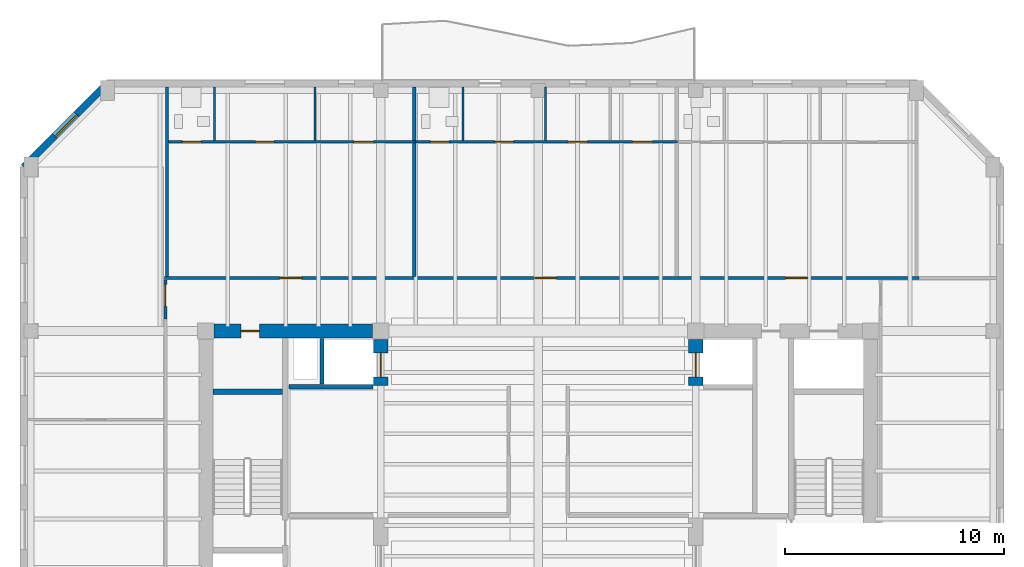
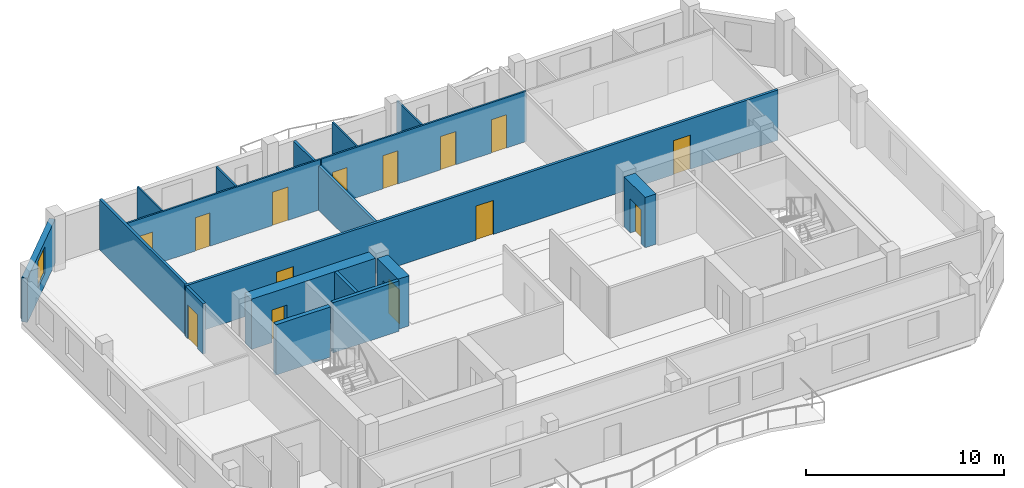
# One storey, part 4 of 10: 17 walls, 14 doors, 1 window, 15 openings.
"""IFC4 building model written with IfcOpenShell, lengths in metres."""

from ifc_helpers import new_model, si_unit, direction, frame, frame_2d, origin, place, context, subcontext, project, spatial, rectangle, extrude, material, layer, layer_set, type_object, element, fill, save


model = new_model("IFC4")

# Units and contexts
model_context = context("Model", 3, precision=1e-05, world=origin(), true_north=direction((0.0, 1.0)))
body_context = subcontext(model_context, "Body", "Model", "MODEL_VIEW")
ifc_project = project(units=[si_unit("LENGTHUNIT", "METRE"), si_unit("AREAUNIT", "SQUARE_METRE"), si_unit("VOLUMEUNIT", "CUBIC_METRE"), si_unit("PLANEANGLEUNIT", "RADIAN"), si_unit("MASSUNIT", "GRAM", prefix="KILO")], contexts=[model_context])

# Site, building, storey
site_placement = place(None, origin())
site = spatial("IfcSite", under=ifc_project, at=site_placement, CompositionType="ELEMENT")
building_placement = place(site_placement, origin())
building = spatial("IfcBuilding", under=site, at=building_placement, Name="Kranthara Brick Stack", CompositionType="ELEMENT")
storey_placement = place(building_placement, frame((0.0, 0.0, 272.10009765625)))
storey = spatial("IfcBuildingStorey", under=building, at=storey_placement, Name="L72", CompositionType="ELEMENT", Elevation=272.10009765625)

# Wall, opening, window
ifc_material_1 = material(Name="Warm buff clay brick masonry M15", Category="masonry")
ifc_layer_1 = layer(ifc_material_1, 0.320068359375)
ifc_layer_set_1 = layer_set([ifc_layer_1], Name="Warm buff clay brick masonry M15")
wall_type_1 = type_object("IfcWallType", Name="WL-BRK-UPPR-320", PredefinedType="STANDARD", material=ifc_layer_set_1)
wall_1_placement = place(storey_placement, frame((4.47998046875, 41.10009765625, 0.0), z_axis=(0.0, 0.0, 1.0), x_axis=(0.70712937715, 0.707084184501, 0.0)))
wall_1 = element("IfcWall", 1, at=wall_1_placement, inside=storey, type_object=wall_type_1, Name="L72 Exterior Brick Facade Wall NW 1", PredefinedType="STANDARD", context=body_context, shape_type="SweptSolid", body=[
    extrude(rectangle(XDim=5.402099609375, YDim=0.320068359375, at=frame_2d((2.701171875, 0.0))), origin(), (0.0, 0.0, 1.0), 2.724853515625),
])
opening_1_placement = place(wall_1_placement, frame((2.0009765625, 0.0, 0.75)))
opening_1 = element("IfcOpeningElement", 2, at=opening_1_placement, cuts=wall_1, Name="Opening WN10", PredefinedType="OPENING", context=body_context, shape_type="SweptSolid", body=[
    extrude(rectangle(XDim=1.39990234375, YDim=1.64990234375, at=frame_2d((0.699951171875, 0.824951171875))), frame((0.0, 0.169921875, 0.0), z_axis=(0.0, -1.0, 0.0), x_axis=(1.0, 0.0, 0.0)), (0.0, 0.0, 1.0), 0.340087890625),
])
ifc_material_2 = material(Name="Double-glazed low-E solar control glass", Category="glass")
window_type = type_object("IfcWindowType", Name="WN-CHM-1400x1750", PartitioningType="SINGLE_PANEL", PredefinedType="WINDOW", material=ifc_material_2)
window_placement = place(opening_1_placement, origin())
window = element("IfcWindow", 3, at=window_placement, inside=storey, type_object=window_type, Name="L72 NW Chamfer Corner Window", OverallHeight=1.64990234375, OverallWidth=1.39990234375, PartitioningType="SINGLE_PANEL", PredefinedType="WINDOW", context=body_context, shape_type="SweptSolid", body=[
    extrude(rectangle(XDim=1.39990234375, YDim=1.64990234375, at=frame_2d((0.699951171875, 0.824951171875))), frame((0.0, -0.010009765625, 0.0), z_axis=(0.0, -1.0, 0.0), x_axis=(1.0, 0.0, 0.0)), (0.0, 0.0, 1.0), 0.06005859375),
])
fill(opening_1, window)

# Wall
ifc_material_3 = material(Name="Concrete C50/60", Category="concrete")
ifc_layer_2 = layer(ifc_material_3, 0.25)
ifc_layer_set_2 = layer_set([ifc_layer_2], Name="Concrete C50/60")
wall_type_2 = type_object("IfcWallType", Name="WL-CORE-250", PredefinedType="SHEAR", material=ifc_layer_set_2)
wall_2_placement = place(storey_placement, frame((13.135009765625, 30.830078125, 0.0), z_axis=(0.0, 0.0, 1.0), x_axis=(1.0, 0.0, 0.0)))
element("IfcWall", 4, at=wall_2_placement, inside=storey, type_object=wall_type_2, Name="L72 West Stairwell Bearing Wall WST", PredefinedType="SHEAR", context=body_context, shape_type="SweptSolid", body=[
    extrude(rectangle(XDim=3.175048828125, YDim=0.25, at=frame_2d((1.58740234375, 0.0))), origin(), (0.0, 0.0, 1.0), 3.099853515625),
])

# Wall, opening, door
ifc_material_4 = material(Name="Concrete C60/75", Category="concrete")
ifc_layer_3 = layer(ifc_material_4, 0.64990234375)
ifc_layer_set_3 = layer_set([ifc_layer_3], Name="Concrete C60/75")
wall_type_3 = type_object("IfcWallType", Name="WL-CORE-650", PredefinedType="SHEAR", material=ifc_layer_set_3)
wall_3_placement = place(storey_placement, frame((13.179931640625, 33.60009765625, 0.0), z_axis=(0.0, 0.0, 1.0), x_axis=(1.0, 0.0, 0.0)))
wall_3 = element("IfcWall", 5, at=wall_3_placement, inside=storey, type_object=wall_type_3, Name="L72 West Core Shear Wall North", PredefinedType="SHEAR", context=body_context, shape_type="SweptSolid", body=[
    extrude(rectangle(XDim=7.239990234375, YDim=0.64990234375, at=frame_2d((3.6201171875, 0.0))), origin(), (0.0, 0.0, 1.0), 3.099853515625),
])
opening_2_placement = place(wall_3_placement, frame((1.219970703125, 0.0, 0.0)))
opening_2 = element("IfcOpeningElement", 6, at=opening_2_placement, cuts=wall_3, Name="Opening D10", PredefinedType="OPENING", context=body_context, shape_type="SweptSolid", body=[
    extrude(rectangle(XDim=0.85009765625, YDim=2.02001953125, at=frame_2d((0.425048828125, 1.010009765625))), frame((0.0, 0.3349609375, 0.0), z_axis=(0.0, -1.0, 0.0), x_axis=(1.0, 0.0, 0.0)), (0.0, 0.0, 1.0), 0.669921875),
])
ifc_material_5 = material(Name="Solid-core hardwood timber leaf in steel frame", Category="steel")
door_type_1 = type_object("IfcDoorType", Name="DR-RSR-850", OperationType="NOTDEFINED", PredefinedType="DOOR", material=ifc_material_5)
door_1_placement = place(opening_2_placement, origin())
door_1 = element("IfcDoor", 7, at=door_1_placement, inside=storey, type_object=door_type_1, Name="L72 West Core Service Door 1", OperationType="SINGLE_SWING_LEFT", OverallHeight=2.02001953125, OverallWidth=0.85009765625, PredefinedType="DOOR", context=body_context, shape_type="SweptSolid", body=[
    extrude(rectangle(XDim=0.85009765625, YDim=2.02001953125, at=frame_2d((0.425048828125, 1.010009765625))), frame((0.0, 0.02490234375, 0.0), z_axis=(0.0, -1.0, 0.0), x_axis=(1.0, 0.0, 0.0)), (0.0, 0.0, 1.0), 0.050048828125),
])
fill(opening_2, door_1)

wall_4_placement = place(storey_placement, frame((20.800048828125, 31.10009765625, 0.0), z_axis=(0.0, 0.0, 1.0), x_axis=(0.0, 1.0, 0.0)))
wall_4 = element("IfcWall", 8, at=wall_4_placement, inside=storey, type_object=wall_type_3, Name="L72 West Core High-Rise Lift Wall", PredefinedType="SHEAR", context=body_context, shape_type="SweptSolid", body=[
    extrude(rectangle(XDim=2.119873046875, YDim=0.64990234375, at=frame_2d((1.06005859375, 0.0))), origin(), (0.0, 0.0, 1.0), 3.099853515625),
])
opening_3_placement = place(wall_4_placement, frame((0.39990234375, 0.0, 0.0)))
opening_3 = element("IfcOpeningElement", 9, at=opening_3_placement, cuts=wall_4, Name="Opening LD02", PredefinedType="OPENING", context=body_context, shape_type="SweptSolid", body=[
    extrude(rectangle(XDim=1.10009765625, YDim=2.10009765625, at=frame_2d((0.550048828125, 1.050048828125))), frame((0.0, 0.3349609375, 0.0), z_axis=(0.0, -1.0, 0.0), x_axis=(1.0, 0.0, 0.0)), (0.0, 0.0, 1.0), 0.669921875),
])
ifc_material_6 = material(Name="Stainless steel sliding landing door", Category="steel")
door_type_2 = type_object("IfcDoorType", Name="DR-LD-PL1100", OperationType="DOUBLE_DOOR_SLIDING", PredefinedType="DOOR", material=ifc_material_6)
door_2_placement = place(opening_3_placement, origin())
door_2 = element("IfcDoor", 10, at=door_2_placement, inside=storey, type_object=door_type_2, Name="L72 PL-07 Lift Landing Door", OperationType="DOUBLE_DOOR_SLIDING", OverallHeight=2.10009765625, OverallWidth=1.10009765625, PredefinedType="DOOR", context=body_context, shape_type="SweptSolid", body=[
    extrude(rectangle(XDim=1.10009765625, YDim=2.10009765625, at=frame_2d((0.550048828125, 1.050048828125))), frame((0.0, 0.02490234375, 0.0), z_axis=(0.0, -1.0, 0.0), x_axis=(1.0, 0.0, 0.0)), (0.0, 0.0, 1.0), 0.050048828125),
])
fill(opening_3, door_2)

wall_5_placement = place(storey_placement, frame((35.199951171875, 31.10009765625, 0.0), z_axis=(0.0, 0.0, 1.0), x_axis=(0.0, 1.0, 0.0)))
wall_5 = element("IfcWall", 11, at=wall_5_placement, inside=storey, type_object=wall_type_3, Name="L72 East Core High-Rise Lift Wall", PredefinedType="SHEAR", context=body_context, shape_type="SweptSolid", body=[
    extrude(rectangle(XDim=2.119873046875, YDim=0.64990234375, at=frame_2d((1.06005859375, 0.0))), origin(), (0.0, 0.0, 1.0), 3.099853515625),
])
opening_4_placement = place(wall_5_placement, frame((0.39990234375, 0.0, 0.0)))
opening_4 = element("IfcOpeningElement", 12, at=opening_4_placement, cuts=wall_5, Name="Opening LD02", PredefinedType="OPENING", context=body_context, shape_type="SweptSolid", body=[
    extrude(rectangle(XDim=1.10009765625, YDim=2.10009765625, at=frame_2d((0.550048828125, 1.050048828125))), frame((0.0, 0.3349609375, 0.0), z_axis=(0.0, -1.0, 0.0), x_axis=(1.0, 0.0, 0.0)), (0.0, 0.0, 1.0), 0.669921875),
])
door_3_placement = place(opening_4_placement, origin())
door_3 = element("IfcDoor", 13, at=door_3_placement, inside=storey, type_object=door_type_2, Name="L72 PL-08 Lift Landing Door", OperationType="DOUBLE_DOOR_SLIDING", OverallHeight=2.10009765625, OverallWidth=1.10009765625, PredefinedType="DOOR", context=body_context, shape_type="SweptSolid", body=[
    extrude(rectangle(XDim=1.10009765625, YDim=2.10009765625, at=frame_2d((0.550048828125, 1.050048828125))), frame((0.0, 0.02490234375, 0.0), z_axis=(0.0, -1.0, 0.0), x_axis=(1.0, 0.0, 0.0)), (0.0, 0.0, 1.0), 0.050048828125),
])
fill(opening_4, door_3)

# Wall, openings, doors
ifc_material_7 = material(Name="Moisture-resistant wet-room partition", Category="other")
ifc_layer_4 = layer(ifc_material_7, 0.10009765625)
ifc_layer_set_4 = layer_set([ifc_layer_4], Name="Moisture-resistant wet-room partition")
wall_type_4 = type_object("IfcWallType", Name="WL-PART-100", PredefinedType="PARTITIONING", material=ifc_layer_set_4)
wall_6_placement = place(storey_placement, frame((11.10009765625, 42.25, 0.0), z_axis=(0.0, 0.0, 1.0), x_axis=(1.0, 0.0, 0.0)))
wall_6 = element("IfcWall", 14, at=wall_6_placement, inside=storey, type_object=wall_type_4, Name="L72 Interior Partition 011", PredefinedType="PARTITIONING", context=body_context, shape_type="SweptSolid", body=[
    extrude(rectangle(XDim=11.27197265625, YDim=0.10009765625, at=frame_2d((5.635986328125, 0.0))), origin(), (0.0, 0.0, 1.0), 3.099853515625),
])
opening_5_placement = place(wall_6_placement, frame((0.625, 0.0, 0.0)))
opening_5 = element("IfcOpeningElement", 15, at=opening_5_placement, cuts=wall_6, Name="Opening D17", PredefinedType="OPENING", context=body_context, shape_type="SweptSolid", body=[
    extrude(rectangle(XDim=0.85009765625, YDim=2.050048828125, at=frame_2d((0.425048828125, 1.02490234375))), frame((0.0, 0.06005859375, 0.0), z_axis=(0.0, -1.0, 0.0), x_axis=(1.0, 0.0, 0.0)), (0.0, 0.0, 1.0), 0.1201171875),
])
opening_6_placement = place(wall_6_placement, frame((3.970947265625, 0.0, 0.0)))
opening_6 = element("IfcOpeningElement", 16, at=opening_6_placement, cuts=wall_6, Name="Opening D16", PredefinedType="OPENING", context=body_context, shape_type="SweptSolid", body=[
    extrude(rectangle(XDim=0.85009765625, YDim=2.050048828125, at=frame_2d((0.425048828125, 1.02490234375))), frame((0.0, 0.06005859375, 0.0), z_axis=(0.0, -1.0, 0.0), x_axis=(1.0, 0.0, 0.0)), (0.0, 0.0, 1.0), 0.1201171875),
])
opening_7_placement = place(wall_6_placement, frame((8.471923828125, 0.0, 0.0)))
opening_7 = element("IfcOpeningElement", 17, at=opening_7_placement, cuts=wall_6, Name="Opening D15", PredefinedType="OPENING", context=body_context, shape_type="SweptSolid", body=[
    extrude(rectangle(XDim=0.89990234375, YDim=2.050048828125, at=frame_2d((0.449951171875, 1.02490234375))), frame((0.0, 0.06005859375, 0.0), z_axis=(0.0, -1.0, 0.0), x_axis=(1.0, 0.0, 0.0)), (0.0, 0.0, 1.0), 0.1201171875),
])
ifc_material_8 = material(Name="Solid-core hardwood timber leaf in steel frame", Category="steel")
door_type_3 = type_object("IfcDoorType", Name="DR-INT-850", OperationType="NOTDEFINED", PredefinedType="DOOR", material=ifc_material_8)
door_4_placement = place(opening_6_placement, origin())
door_4 = element("IfcDoor", 18, at=door_4_placement, inside=storey, type_object=door_type_3, Name="L72 Unit L72A Kitchen 07", OperationType="SINGLE_SWING_LEFT", OverallHeight=2.050048828125, OverallWidth=0.85009765625, PredefinedType="DOOR", context=body_context, shape_type="SweptSolid", body=[
    extrude(rectangle(XDim=0.85009765625, YDim=2.050048828125, at=frame_2d((0.425048828125, 1.02490234375))), frame((0.0, 0.02490234375, 0.0), z_axis=(0.0, -1.0, 0.0), x_axis=(1.0, 0.0, 0.0)), (0.0, 0.0, 1.0), 0.050048828125),
])
fill(opening_6, door_4)
ifc_material_9 = material(Name="Solid-core hardwood timber leaf in steel frame", Category="steel")
door_type_4 = type_object("IfcDoorType", Name="DR-INT-900", OperationType="NOTDEFINED", PredefinedType="DOOR", material=ifc_material_9)
door_5_placement = place(opening_7_placement, origin())
door_5 = element("IfcDoor", 19, at=door_5_placement, inside=storey, type_object=door_type_4, Name="L72 Unit L72A Bedroom 08", OperationType="SINGLE_SWING_RIGHT", OverallHeight=2.050048828125, OverallWidth=0.89990234375, PredefinedType="DOOR", context=body_context, shape_type="SweptSolid", body=[
    extrude(rectangle(XDim=0.89990234375, YDim=2.050048828125, at=frame_2d((0.449951171875, 1.02490234375))), frame((0.0, 0.02490234375, 0.0), z_axis=(0.0, -1.0, 0.0), x_axis=(1.0, 0.0, 0.0)), (0.0, 0.0, 1.0), 0.050048828125),
])
fill(opening_7, door_5)
ifc_material_10 = material(Name="Solid-core hardwood timber leaf in steel frame", Category="steel")
door_type_5 = type_object("IfcDoorType", Name="DR-WET-850", OperationType="NOTDEFINED", PredefinedType="DOOR", material=ifc_material_10)
door_6_placement = place(opening_5_placement, origin())
door_6 = element("IfcDoor", 20, at=door_6_placement, inside=storey, type_object=door_type_5, Name="L72 Unit L72A Bathroom 06", OperationType="SINGLE_SWING_RIGHT", OverallHeight=2.050048828125, OverallWidth=0.85009765625, PredefinedType="DOOR", context=body_context, shape_type="SweptSolid", body=[
    extrude(rectangle(XDim=0.85009765625, YDim=2.050048828125, at=frame_2d((0.425048828125, 1.02490234375))), frame((0.0, 0.02490234375, 0.0), z_axis=(0.0, -1.0, 0.0), x_axis=(1.0, 0.0, 0.0)), (0.0, 0.0, 1.0), 0.050048828125),
])
fill(opening_5, door_6)

# Walls
wall_7_placement = place(storey_placement, frame((13.199951171875, 42.304931640625, 0.0), z_axis=(0.0, 0.0, 1.0), x_axis=(0.0, 1.0, 0.0)))
element("IfcWall", 21, at=wall_7_placement, inside=storey, type_object=wall_type_4, Name="L72 Interior Partition 012", PredefinedType="PARTITIONING", context=body_context, shape_type="SweptSolid", body=[
    extrude(rectangle(XDim=2.449951171875, YDim=0.10009765625, at=frame_2d((1.22509765625, 0.0))), origin(), (0.0, 0.0, 1.0), 3.099853515625),
])
wall_8_placement = place(storey_placement, frame((17.791015625, 42.304931640625, 0.0), z_axis=(0.0, 0.0, 1.0), x_axis=(0.0, 1.0, 0.0)))
element("IfcWall", 22, at=wall_8_placement, inside=storey, type_object=wall_type_4, Name="L72 Interior Partition 013", PredefinedType="PARTITIONING", context=body_context, shape_type="SweptSolid", body=[
    extrude(rectangle(XDim=2.449951171875, YDim=0.10009765625, at=frame_2d((1.22509765625, 0.0))), origin(), (0.0, 0.0, 1.0), 2.724853515625),
])

# Wall, openings, doors
wall_9_placement = place(storey_placement, frame((22.412109375, 42.25, 0.0), z_axis=(0.0, 0.0, 1.0), x_axis=(1.0, 0.0, 0.0)))
wall_9 = element("IfcWall", 23, at=wall_9_placement, inside=storey, type_object=wall_type_4, Name="L72 Interior Partition 015", PredefinedType="PARTITIONING", context=body_context, shape_type="SweptSolid", body=[
    extrude(rectangle(XDim=11.9580078125, YDim=0.10009765625, at=frame_2d((5.97900390625, 0.0))), origin(), (0.0, 0.0, 1.0), 3.099853515625),
])
opening_8_placement = place(wall_9_placement, frame((0.64990234375, 0.0, 0.0)))
opening_8 = element("IfcOpeningElement", 24, at=opening_8_placement, cuts=wall_9, Name="Opening D17", PredefinedType="OPENING", context=body_context, shape_type="SweptSolid", body=[
    extrude(rectangle(XDim=0.85009765625, YDim=2.050048828125, at=frame_2d((0.425048828125, 1.02490234375))), frame((0.0, 0.06005859375, 0.0), z_axis=(0.0, -1.0, 0.0), x_axis=(1.0, 0.0, 0.0)), (0.0, 0.0, 1.0), 0.1201171875),
])
opening_9_placement = place(wall_9_placement, frame((3.610107421875, 0.0, 0.0)))
opening_9 = element("IfcOpeningElement", 25, at=opening_9_placement, cuts=wall_9, Name="Opening D16", PredefinedType="OPENING", context=body_context, shape_type="SweptSolid", body=[
    extrude(rectangle(XDim=0.85009765625, YDim=2.050048828125, at=frame_2d((0.425048828125, 1.02490234375))), frame((0.0, 0.06005859375, 0.0), z_axis=(0.0, -1.0, 0.0), x_axis=(1.0, 0.0, 0.0)), (0.0, 0.0, 1.0), 0.1201171875),
])
opening_10_placement = place(wall_9_placement, frame((6.948974609375, 0.0, 0.0)))
opening_10 = element("IfcOpeningElement", 26, at=opening_10_placement, cuts=wall_9, Name="Opening D15", PredefinedType="OPENING", context=body_context, shape_type="SweptSolid", body=[
    extrude(rectangle(XDim=0.89990234375, YDim=2.050048828125, at=frame_2d((0.449951171875, 1.02490234375))), frame((0.0, 0.06005859375, 0.0), z_axis=(0.0, -1.0, 0.0), x_axis=(1.0, 0.0, 0.0)), (0.0, 0.0, 1.0), 0.1201171875),
])
opening_11_placement = place(wall_9_placement, frame((9.908935546875, 0.0, 0.0)))
opening_11 = element("IfcOpeningElement", 27, at=opening_11_placement, cuts=wall_9, Name="Opening D15", PredefinedType="OPENING", context=body_context, shape_type="SweptSolid", body=[
    extrude(rectangle(XDim=0.89990234375, YDim=2.050048828125, at=frame_2d((0.449951171875, 1.02490234375))), frame((0.0, 0.06005859375, 0.0), z_axis=(0.0, -1.0, 0.0), x_axis=(1.0, 0.0, 0.0)), (0.0, 0.0, 1.0), 0.1201171875),
])
door_7_placement = place(opening_9_placement, origin())
door_7 = element("IfcDoor", 28, at=door_7_placement, inside=storey, type_object=door_type_3, Name="L72 Unit L72B Kitchen 11", OperationType="SINGLE_SWING_LEFT", OverallHeight=2.050048828125, OverallWidth=0.85009765625, PredefinedType="DOOR", context=body_context, shape_type="SweptSolid", body=[
    extrude(rectangle(XDim=0.85009765625, YDim=2.050048828125, at=frame_2d((0.425048828125, 1.02490234375))), frame((0.0, 0.02490234375, 0.0), z_axis=(0.0, -1.0, 0.0), x_axis=(1.0, 0.0, 0.0)), (0.0, 0.0, 1.0), 0.050048828125),
])
fill(opening_9, door_7)
door_8_placement = place(opening_10_placement, origin())
door_8 = element("IfcDoor", 29, at=door_8_placement, inside=storey, type_object=door_type_4, Name="L72 Unit L72B Master Bedroom 12", OperationType="SINGLE_SWING_RIGHT", OverallHeight=2.050048828125, OverallWidth=0.89990234375, PredefinedType="DOOR", context=body_context, shape_type="SweptSolid", body=[
    extrude(rectangle(XDim=0.89990234375, YDim=2.050048828125, at=frame_2d((0.449951171875, 1.02490234375))), frame((0.0, 0.02490234375, 0.0), z_axis=(0.0, -1.0, 0.0), x_axis=(1.0, 0.0, 0.0)), (0.0, 0.0, 1.0), 0.050048828125),
])
fill(opening_10, door_8)
door_9_placement = place(opening_11_placement, origin())
door_9 = element("IfcDoor", 30, at=door_9_placement, inside=storey, type_object=door_type_4, Name="L72 Unit L72B Bedroom 2 13", OperationType="SINGLE_SWING_LEFT", OverallHeight=2.050048828125, OverallWidth=0.89990234375, PredefinedType="DOOR", context=body_context, shape_type="SweptSolid", body=[
    extrude(rectangle(XDim=0.89990234375, YDim=2.050048828125, at=frame_2d((0.449951171875, 1.02490234375))), frame((0.0, 0.02490234375, 0.0), z_axis=(0.0, -1.0, 0.0), x_axis=(1.0, 0.0, 0.0)), (0.0, 0.0, 1.0), 0.050048828125),
])
fill(opening_11, door_9)
door_10_placement = place(opening_8_placement, origin())
door_10 = element("IfcDoor", 31, at=door_10_placement, inside=storey, type_object=door_type_5, Name="L72 Unit L72B Bathroom 10", OperationType="SINGLE_SWING_RIGHT", OverallHeight=2.050048828125, OverallWidth=0.85009765625, PredefinedType="DOOR", context=body_context, shape_type="SweptSolid", body=[
    extrude(rectangle(XDim=0.85009765625, YDim=2.050048828125, at=frame_2d((0.425048828125, 1.02490234375))), frame((0.0, 0.02490234375, 0.0), z_axis=(0.0, -1.0, 0.0), x_axis=(1.0, 0.0, 0.0)), (0.0, 0.0, 1.0), 0.050048828125),
])
fill(opening_8, door_10)

# Walls
for number, where, z_axis, x_axis, name in (
    (32, (24.56201171875, 42.304931640625, 0.0), (0.0, 0.0, 1.0), (0.0, 1.0, 0.0), "L72 Interior Partition 016"),
    (33, (28.3310546875, 42.304931640625, 0.0), (0.0, 0.0, 1.0), (0.0, 1.0, 0.0), "L72 Interior Partition 017"),
):
    element("IfcWall", number, at=place(storey_placement, frame(where, z_axis=z_axis, x_axis=x_axis)), inside=storey, type_object=wall_type_4, Name=name, PredefinedType="PARTITIONING", context=body_context, shape_type="SweptSolid", body=[
        extrude(rectangle(XDim=2.449951171875, YDim=0.10009765625, at=frame_2d((1.22509765625, 0.0))), origin(), (0.0, 0.0, 1.0), 3.099853515625),
    ])

# Wall, openings, doors
ifc_material_11 = material(Name="Fire-rated gypsum board partition", Category="other")
ifc_layer_5 = layer(ifc_material_11, 0.14990234375)
ifc_layer_set_5 = layer_set([ifc_layer_5], Name="Fire-rated gypsum board partition")
wall_type_5 = type_object("IfcWallType", Name="WL-PART-150", PredefinedType="PARTITIONING", material=ifc_layer_set_5)
wall_10_placement = place(storey_placement, frame((10.89990234375, 36.02001953125, 0.0), z_axis=(0.0, 0.0, 1.0), x_axis=(1.0, 0.0, 0.0)))
wall_10 = element("IfcWall", 34, at=wall_10_placement, inside=storey, type_object=wall_type_5, Name="L72 Interior Partition 009", PredefinedType="PARTITIONING", context=body_context, shape_type="SweptSolid", body=[
    extrude(rectangle(XDim=34.52001953125, YDim=0.14990234375, at=frame_2d((17.260009765625, 0.0))), origin(), (0.0, 0.0, 1.0), 3.099853515625),
])
opening_12_placement = place(wall_10_placement, frame((5.27587890625, 0.0, 0.0)))
opening_12 = element("IfcOpeningElement", 35, at=opening_12_placement, cuts=wall_10, Name="Opening D08", PredefinedType="OPENING", context=body_context, shape_type="SweptSolid", body=[
    extrude(rectangle(XDim=1.0, YDim=2.10009765625, at=frame_2d((0.5, 1.050048828125))), frame((0.0, 0.0849609375, 0.0), z_axis=(0.0, -1.0, 0.0), x_axis=(1.0, 0.0, 0.0)), (0.0, 0.0, 1.0), 0.169921875),
])
opening_13_placement = place(wall_10_placement, frame((16.930908203125, 0.0, 0.0)))
opening_13 = element("IfcOpeningElement", 36, at=opening_13_placement, cuts=wall_10, Name="Opening D08", PredefinedType="OPENING", context=body_context, shape_type="SweptSolid", body=[
    extrude(rectangle(XDim=1.0, YDim=2.10009765625, at=frame_2d((0.5, 1.050048828125))), frame((0.0, 0.0849609375, 0.0), z_axis=(0.0, -1.0, 0.0), x_axis=(1.0, 0.0, 0.0)), (0.0, 0.0, 1.0), 0.169921875),
])
opening_14_placement = place(wall_10_placement, frame((28.4150390625, 0.0, 0.0)))
opening_14 = element("IfcOpeningElement", 37, at=opening_14_placement, cuts=wall_10, Name="Opening D08", PredefinedType="OPENING", context=body_context, shape_type="SweptSolid", body=[
    extrude(rectangle(XDim=1.0, YDim=2.10009765625, at=frame_2d((0.5, 1.050048828125))), frame((0.0, 0.0849609375, 0.0), z_axis=(0.0, -1.0, 0.0), x_axis=(1.0, 0.0, 0.0)), (0.0, 0.0, 1.0), 0.169921875),
])
ifc_material_12 = material(Name="Solid-core hardwood timber leaf in steel frame", Category="steel")
door_type_6 = type_object("IfcDoorType", Name="DR-FD-1000", OperationType="NOTDEFINED", PredefinedType="DOOR", material=ifc_material_12)
door_11_placement = place(opening_12_placement, origin())
door_11 = element("IfcDoor", 38, at=door_11_placement, inside=storey, type_object=door_type_6, Name="L72 Unit L72A Entrance 05", OperationType="SINGLE_SWING_LEFT", OverallHeight=2.10009765625, OverallWidth=1.0, PredefinedType="DOOR", context=body_context, shape_type="SweptSolid", body=[
    extrude(rectangle(XDim=1.0, YDim=2.10009765625, at=frame_2d((0.5, 1.050048828125))), frame((0.0, 0.02490234375, 0.0), z_axis=(0.0, -1.0, 0.0), x_axis=(1.0, 0.0, 0.0)), (0.0, 0.0, 1.0), 0.050048828125),
])
fill(opening_12, door_11)
door_12_placement = place(opening_13_placement, origin())
door_12 = element("IfcDoor", 39, at=door_12_placement, inside=storey, type_object=door_type_6, Name="L72 Unit L72B Entrance 09", OperationType="SINGLE_SWING_LEFT", OverallHeight=2.10009765625, OverallWidth=1.0, PredefinedType="DOOR", context=body_context, shape_type="SweptSolid", body=[
    extrude(rectangle(XDim=1.0, YDim=2.10009765625, at=frame_2d((0.5, 1.050048828125))), frame((0.0, 0.02490234375, 0.0), z_axis=(0.0, -1.0, 0.0), x_axis=(1.0, 0.0, 0.0)), (0.0, 0.0, 1.0), 0.050048828125),
])
fill(opening_13, door_12)
door_13_placement = place(opening_14_placement, origin())
door_13 = element("IfcDoor", 40, at=door_13_placement, inside=storey, type_object=door_type_6, Name="L72 Unit L72C Entrance 14", OperationType="SINGLE_SWING_RIGHT", OverallHeight=2.10009765625, OverallWidth=1.0, PredefinedType="DOOR", context=body_context, shape_type="SweptSolid", body=[
    extrude(rectangle(XDim=1.0, YDim=2.10009765625, at=frame_2d((0.5, 1.050048828125))), frame((0.0, 0.02490234375, 0.0), z_axis=(0.0, -1.0, 0.0), x_axis=(1.0, 0.0, 0.0)), (0.0, 0.0, 1.0), 0.050048828125),
])
fill(opening_14, door_13)

# Walls
wall_11_placement = place(storey_placement, frame((11.02001953125, 36.10009765625, 0.0), z_axis=(0.0, 0.0, 1.0), x_axis=(0.0, 1.0, 0.0)))
element("IfcWall", 41, at=wall_11_placement, inside=storey, type_object=wall_type_5, Name="L72 Interior Partition 010", PredefinedType="PARTITIONING", context=body_context, shape_type="SweptSolid", body=[
    extrude(rectangle(XDim=8.65478515625, YDim=0.14990234375, at=frame_2d((4.327392578125, 0.0))), origin(), (0.0, 0.0, 1.0), 3.099853515625),
])
wall_12_placement = place(storey_placement, frame((22.33203125, 36.10009765625, 0.0), z_axis=(0.0, 0.0, 1.0), x_axis=(0.0, 1.0, 0.0)))
element("IfcWall", 42, at=wall_12_placement, inside=storey, type_object=wall_type_5, Name="L72 Interior Partition 014", PredefinedType="PARTITIONING", context=body_context, shape_type="SweptSolid", body=[
    extrude(rectangle(XDim=8.65478515625, YDim=0.14990234375, at=frame_2d((4.327392578125, 0.0))), origin(), (0.0, 0.0, 1.0), 2.724853515625),
])

# Wall, opening, door
wall_13_placement = place(storey_placement, frame((10.949951171875, 34.14990234375, 0.0), z_axis=(0.0, 0.0, 1.0), x_axis=(0.0, 1.0, 0.0)))
wall_13 = element("IfcWall", 43, at=wall_13_placement, inside=storey, type_object=wall_type_5, Name="L72 Interior Partition 027", PredefinedType="PARTITIONING", context=body_context, shape_type="SweptSolid", body=[
    extrude(rectangle(XDim=1.7900390625, YDim=0.14990234375, at=frame_2d((0.89501953125, 0.0))), origin(), (0.0, 0.0, 1.0), 3.099853515625),
])
opening_15_placement = place(wall_13_placement, frame((0.580078125, 0.0, 0.0)))
opening_15 = element("IfcOpeningElement", 44, at=opening_15_placement, cuts=wall_13, Name="Opening D08", PredefinedType="OPENING", context=body_context, shape_type="SweptSolid", body=[
    extrude(rectangle(XDim=1.0, YDim=2.10009765625, at=frame_2d((0.5, 1.050048828125))), frame((0.0, 0.0849609375, 0.0), z_axis=(0.0, -1.0, 0.0), x_axis=(1.0, 0.0, 0.0)), (0.0, 0.0, 1.0), 0.169921875),
])
door_14_placement = place(opening_15_placement, origin())
door_14 = element("IfcDoor", 45, at=door_14_placement, inside=storey, type_object=door_type_6, Name="L72 Unit L72D Entrance 18", OperationType="SINGLE_SWING_RIGHT", OverallHeight=2.10009765625, OverallWidth=1.0, PredefinedType="DOOR", context=body_context, shape_type="SweptSolid", body=[
    extrude(rectangle(XDim=1.0, YDim=2.10009765625, at=frame_2d((0.5, 1.050048828125))), frame((0.0, 0.02490234375, 0.0), z_axis=(0.0, -1.0, 0.0), x_axis=(1.0, 0.0, 0.0)), (0.0, 0.0, 1.0), 0.050048828125),
])
fill(opening_15, door_14)

# Walls
ifc_material_13 = material(Name="Gypsum plasterboard on acoustic twin stud", Category="other")
ifc_layer_6 = layer(ifc_material_13, 0.179931640625)
ifc_layer_set_6 = layer_set([ifc_layer_6], Name="Gypsum plasterboard on acoustic twin stud")
wall_type_6 = type_object("IfcWallType", Name="WL-PART-180", PredefinedType="PARTITIONING", material=ifc_layer_set_6)
wall_14_placement = place(storey_placement, frame((18.1201171875, 31.169921875, 0.0), z_axis=(0.0, 0.0, 1.0), x_axis=(0.0, 1.0, 0.0)))
element("IfcWall", 46, at=wall_14_placement, inside=storey, type_object=wall_type_6, Name="L72 PL-07 Shaft Back Wall", PredefinedType="PARTITIONING", context=body_context, shape_type="SweptSolid", body=[
    extrude(rectangle(XDim=2.094970703125, YDim=0.179931640625, at=frame_2d((1.04736328125, 0.0))), origin(), (0.0, 0.0, 1.0), 3.099853515625),
])
ifc_material_14 = material(Name="Concrete C40/50", Category="concrete")
ifc_layer_7 = layer(ifc_material_14, 0.199951171875)
ifc_layer_set_7 = layer_set([ifc_layer_7], Name="Concrete C40/50")
wall_type_7 = type_object("IfcWallType", Name="WL-PART-200", PredefinedType="SOLIDWALL", material=ifc_layer_set_7)
wall_15_placement = place(storey_placement, frame((16.60009765625, 31.050048828125, 0.0), z_axis=(0.0, 0.0, 1.0), x_axis=(1.0, 0.0, 0.0)))
element("IfcWall", 47, at=wall_15_placement, inside=storey, type_object=wall_type_7, Name="L72 West Core Cross Wall WH4", PredefinedType="SOLIDWALL", context=body_context, shape_type="SweptSolid", body=[
    extrude(rectangle(XDim=3.849853515625, YDim=0.199951171875, at=frame_2d((1.9248046875, 0.0))), origin(), (0.0, 0.0, 1.0), 3.099853515625),
])

save(model, "model.ifc")
